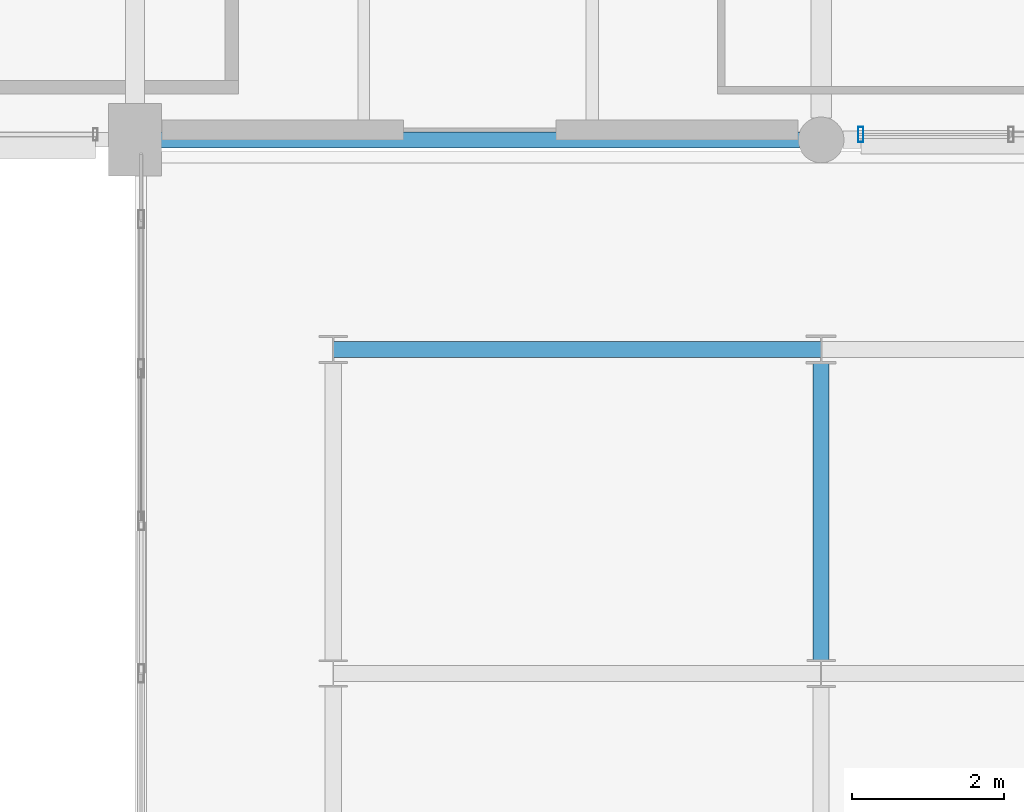
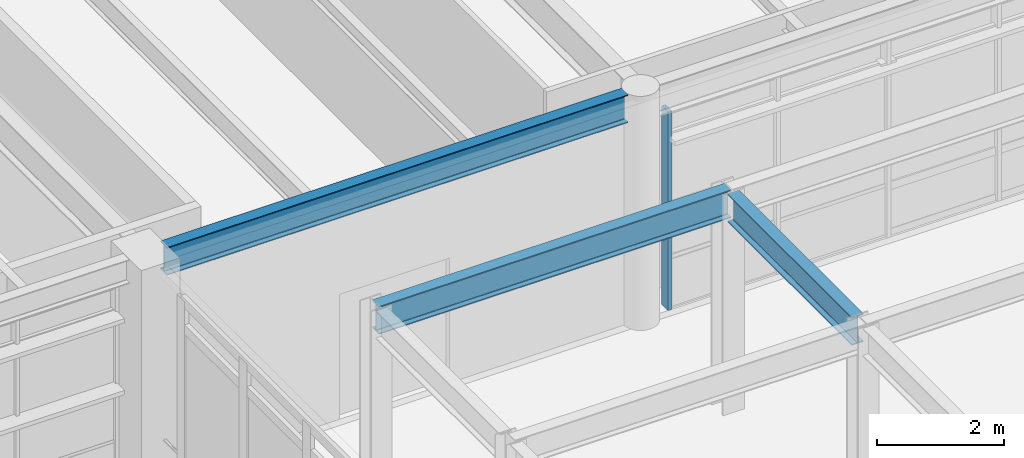
# One storey, part 63 of 200: 3 beams, 1 member, 1 element without a shape of its own.
"""IFC4 building model written with IfcOpenShell, lengths in metres."""

from ifc_helpers import new_model, si_unit, direction, frame, origin, origin_2d, place, context, subcontext, project, spatial, hollow_rectangle, i_section, extrude, material, material_profile, profile_set, type_object, element, aggregate, save


model = new_model("IFC4")

# Units and contexts
model_context = context("Model", 3, precision=1e-05, world=origin(), true_north=direction((0.0, 1.0)))
body_context = subcontext(model_context, "Body", "Model", "MODEL_VIEW")
ifc_project = project(units=[si_unit("LENGTHUNIT", "METRE"), si_unit("AREAUNIT", "SQUARE_METRE"), si_unit("VOLUMEUNIT", "CUBIC_METRE"), si_unit("PLANEANGLEUNIT", "RADIAN"), si_unit("MASSUNIT", "GRAM", prefix="KILO"), si_unit("THERMODYNAMICTEMPERATUREUNIT", "KELVIN"), si_unit("POWERUNIT", "WATT")], contexts=[model_context])

# Site, building, storey
site_placement = place(None, origin())
site = spatial("IfcSite", under=ifc_project, at=site_placement, CompositionType="ELEMENT")
building_placement = place(site_placement, origin())
building = spatial("IfcBuilding", under=site, at=building_placement, Name="Tepalcoro Natatorium and Aquatics Centre", CompositionType="ELEMENT")
storey_placement = place(building_placement, frame((0.0, 0.0, 5.39990234375)))
storey = spatial("IfcBuildingStorey", under=building, at=storey_placement, Name="L01", CompositionType="ELEMENT", Elevation=5.39990234375)

# Beams
ifc_material_1 = material(Name="Steel ASTM A992 Grade 50 (Fy 345 MPa)", Category="steel")
ifc_material_profile_1 = material_profile(ifc_material_1, i_section(OverallWidth=0.2109375, OverallDepth=0.5380859375, WebThickness=0.011962890625, FlangeThickness=0.01904296875, FilletRadius=0.013916015625, at=origin_2d()), Name="W21X73")
ifc_profile_set_1 = profile_set([ifc_material_profile_1], Name="Steel ASTM A992 Grade 50 (Fy 345 MPa)")
beam_type_1 = type_object("IfcBeamType", Name="BM_LINK_LB1", PredefinedType="BEAM", material=ifc_profile_set_1)
beam_1_placement = place(storey_placement, frame((55.60009765625, 83.25, 3.9560546875), z_axis=(1.0, 0.0, 0.0), x_axis=(0.0, 1.0, 0.0)))
element("IfcBeam", 1, at=beam_1_placement, inside=storey, type_object=beam_type_1, Name="Seismic passage link beam LB1 (V6NW L01)", PredefinedType="BEAM", context=body_context, shape_type="SweptSolid", body=[
    extrude(i_section(OverallWidth=0.2109375, OverallDepth=0.5380859375, WebThickness=0.011962890625, FlangeThickness=0.01904296875, FilletRadius=0.013916015625, at=origin_2d()), origin(), (0.0, 0.0, 1.0), 6.39990234375),
])
beam_2_placement = place(storey_placement, frame((62.0, 79.1630859375, 3.9560546875), z_axis=(0.0, 1.0, 0.0), x_axis=(-1.0, 0.0, 0.0)))
element("IfcBeam", 2, at=beam_2_placement, inside=storey, type_object=beam_type_1, Name="Seismic passage link beam LB1 (V6NW L01)", PredefinedType="BEAM", context=body_context, shape_type="SweptSolid", body=[
    extrude(i_section(OverallWidth=0.2109375, OverallDepth=0.5380859375, WebThickness=0.011962890625, FlangeThickness=0.01904296875, FilletRadius=0.013916015625, at=origin_2d()), origin(), (0.0, 0.0, 1.0), 3.919921875),
])

# Curtain wall, member
ifc_material_2 = material(Name="Bronze-Anodised Extruded Aluminium Alloy EN AW-6063 T6", Category="aluminium")
curtain_wall_type = type_object("IfcCurtainWallType", Name="CW_LEAN_T1_EW", PredefinedType="USERDEFINED", material=ifc_material_2)
curtain_wall_placement = place(storey_placement, origin())
curtain_wall = element("IfcCurtainWall", 3, at=curtain_wall_placement, inside=storey, type_object=curtain_wall_type, Name="V4 L01 S Unitised Curtain Wall Bay 7", ObjectType="FACETED SOLAR GLAZING", PredefinedType="USERDEFINED")
ifc_material_profile_2 = material_profile(ifc_material_2, hollow_rectangle(XDim=0.070068359375, YDim=0.199951171875, WallThickness=0.0048828125, at=origin_2d()), Name="AL70X200X5")
ifc_profile_set_2 = profile_set([ifc_material_profile_2], Name="Bronze-Anodised Extruded Aluminium Alloy EN AW-6063 T6")
member_type = type_object("IfcMemberType", Name="CW_MUL_70x200", PredefinedType="MULLION", material=ifc_profile_set_2)
member_placement = place(storey_placement, frame((62.52001953125, 86.0712890625, 0.02001953125), z_axis=(0.0, 0.0, 1.0), x_axis=(1.0, 0.0, 0.0)))
member = element("IfcMember", 4, at=member_placement, type_object=member_type, Name="CW_LEAN_T1_EW Curtain Wall Mullion", PredefinedType="MULLION", context=body_context, shape_type="SweptSolid", body=[
    extrude(hollow_rectangle(XDim=0.070068359375, YDim=0.199951171875, WallThickness=0.0048828125, at=origin_2d()), origin(), (0.0, 0.0, 1.0), 3.818115234375),
])
aggregate(curtain_wall, [member])

# Beam
ifc_material_profile_3 = material_profile(ifc_material_1, i_section(OverallWidth=0.2099609375, OverallDepth=0.535888671875, WebThickness=0.010986328125, FlangeThickness=0.01708984375, FilletRadius=0.013916015625, at=origin_2d()), Name="W21X68")
ifc_profile_set_3 = profile_set([ifc_material_profile_3], Name="Steel ASTM A992 Grade 50 (Fy 345 MPa)")
beam_type_2 = type_object("IfcBeamType", Name="SP_W21x68", PredefinedType="SPANDREL", material=ifc_profile_set_3)
beam_3_placement = place(storey_placement, frame((53.3349609375, 86.0, 4.217041015625), z_axis=(1.0, 0.0, 0.0), x_axis=(0.0, 1.0, 0.0)))
element("IfcBeam", 5, at=beam_3_placement, inside=storey, type_object=beam_type_2, Name="V4 L01 Grid Girder X", PredefinedType="SPANDREL", context=body_context, shape_type="SweptSolid", body=[
    extrude(i_section(OverallWidth=0.2099609375, OverallDepth=0.535888671875, WebThickness=0.010986328125, FlangeThickness=0.01708984375, FilletRadius=0.013916015625, at=origin_2d()), origin(), (0.0, 0.0, 1.0), 8.380126953125),
])

save(model, "model.ifc")
